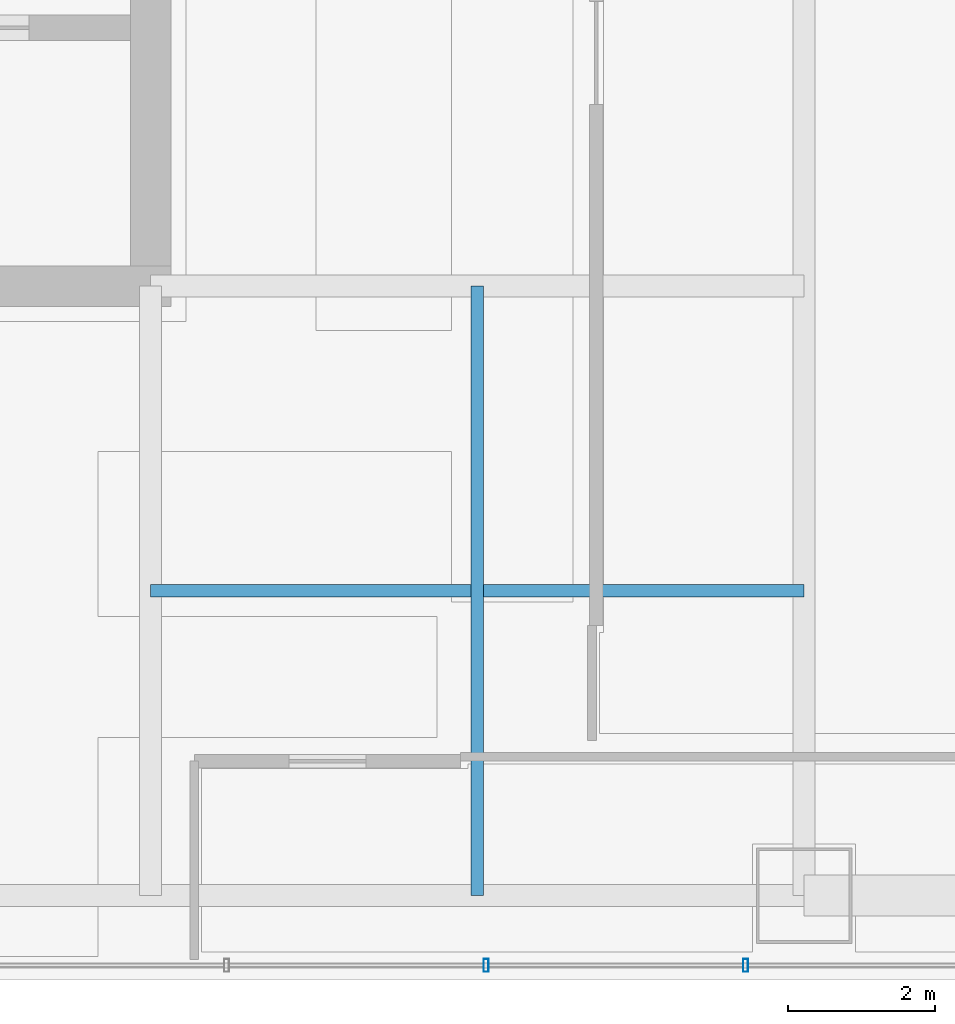
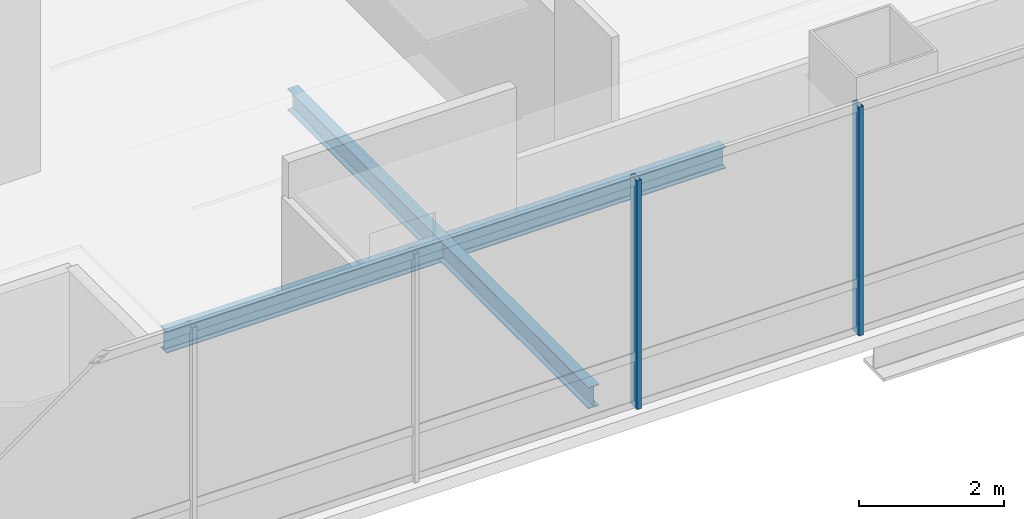
# One storey, part 14 of 40: 2 beams, 2 members, 1 element without a shape of its own.
"""IFC4 building model written with IfcOpenShell, lengths in metres."""

from ifc_helpers import new_model, si_unit, direction, frame, origin, origin_2d, place, context, subcontext, project, spatial, hollow_rectangle, i_section, extrude, material, material_profile, profile_set, type_object, element, aggregate, save


model = new_model("IFC4")

# Units and contexts
model_context = context("Model", 3, precision=1e-05, world=origin(), true_north=direction((0.0, 1.0)))
body_context = subcontext(model_context, "Body", "Model", "MODEL_VIEW")
ifc_project = project(units=[si_unit("LENGTHUNIT", "METRE"), si_unit("AREAUNIT", "SQUARE_METRE"), si_unit("VOLUMEUNIT", "CUBIC_METRE"), si_unit("PLANEANGLEUNIT", "RADIAN"), si_unit("MASSUNIT", "GRAM", prefix="KILO")], contexts=[model_context])

# Site, building, storey
site_placement = place(None, origin())
site = spatial("IfcSite", under=ifc_project, at=site_placement, CompositionType="ELEMENT")
building_placement = place(site_placement, origin())
building = spatial("IfcBuilding", under=site, at=building_placement, Name="Punatoya Terracotta Tower", CompositionType="ELEMENT")
storey_placement = place(building_placement, frame((0.0, 0.0, 271.64990234375)))
storey = spatial("IfcBuildingStorey", under=building, at=storey_placement, Name="L64", CompositionType="ELEMENT", Elevation=271.64990234375)

# Beams
ifc_material_1 = material(Name="Steel S355", Category="steel")
ifc_material_profile_1 = material_profile(ifc_material_1, i_section(OverallWidth=0.169921875, OverallDepth=0.360107421875, WebThickness=0.008056640625, FlangeThickness=0.0126953125, FilletRadius=0.01806640625, at=origin_2d()))
ifc_profile_set_1 = profile_set([ifc_material_profile_1], Name="Steel S355")
beam_type = type_object("IfcBeamType", Name="BM-SEC-360", PredefinedType="JOIST", material=ifc_profile_set_1)
beam_1_placement = place(storey_placement, frame((10.199951171875, -13.35009765625, -0.3798828125), z_axis=(1.0, 0.0, 0.0), x_axis=(0.0, 1.0, 0.0)))
element("IfcBeam", 1, at=beam_1_placement, inside=storey, type_object=beam_type, Name="BM-L64-SJS-2", PredefinedType="JOIST", context=body_context, shape_type="SweptSolid", body=[
    extrude(i_section(OverallWidth=0.169921875, OverallDepth=0.360107421875, WebThickness=0.008056640625, FlangeThickness=0.0126953125, FilletRadius=0.01806640625, at=origin_2d()), origin(), (0.0, 0.0, 1.0), 8.900146484375),
])
beam_2_placement = place(storey_placement, frame((14.64990234375, -17.5, -0.3798828125), z_axis=(0.0, 1.0, 0.0), x_axis=(-1.0, 0.0, 0.0)))
element("IfcBeam", 2, at=beam_2_placement, inside=storey, type_object=beam_type, Name="BM-L64-SJE-1", PredefinedType="JOIST", context=body_context, shape_type="SweptSolid", body=[
    extrude(i_section(OverallWidth=0.169921875, OverallDepth=0.360107421875, WebThickness=0.008056640625, FlangeThickness=0.0126953125, FilletRadius=0.01806640625, at=origin_2d()), origin(), (0.0, 0.0, 1.0), 8.300048828125),
])

# Curtain wall, members
ifc_material_2 = material(Name="Aluminium 6063-T6 + Double Low-E Glass", Category="aluminium")
curtain_wall_type = type_object("IfcCurtainWallType", Name="CW-M3", PredefinedType="NOTDEFINED", material=ifc_material_2)
curtain_wall_placement = place(storey_placement, origin())
curtain_wall = element("IfcCurtainWall", 3, at=curtain_wall_placement, inside=storey, type_object=curtain_wall_type, Name="L64 Curtain Wall CW-L64-S01-1", PredefinedType="NOTDEFINED")
ifc_material_3 = material(Name="Aluminium 6063-T6", Category="aluminium")
ifc_material_profile_2 = material_profile(ifc_material_3, hollow_rectangle(XDim=0.070068359375, YDim=0.179931640625, WallThickness=0.00390625, at=origin_2d()))
ifc_profile_set_2 = profile_set([ifc_material_profile_2], Name="Aluminium 6063-T6")
member_type = type_object("IfcMemberType", Name="CW-MUL-M3", PredefinedType="MULLION", material=ifc_profile_set_2)
member_1_placement = place(storey_placement, frame((14.768798828125, -18.449951171875, 0.0), z_axis=(0.0, 0.0, 1.0), x_axis=(1.0, 0.0, 0.0)))
member_1 = element("IfcMember", 4, at=member_1_placement, type_object=member_type, Name="CW-L64-S01-1 Mullion 09", PredefinedType="MULLION", context=body_context, shape_type="SweptSolid", body=[
    extrude(hollow_rectangle(XDim=0.070068359375, YDim=0.179931640625, WallThickness=0.00390625, at=origin_2d()), origin(), (0.0, 0.0, 1.0), 3.85009765625),
])
member_2_placement = place(storey_placement, frame((18.302978515625, -18.449951171875, 0.0), z_axis=(0.0, 0.0, 1.0), x_axis=(1.0, 0.0, 0.0)))
member_2 = element("IfcMember", 5, at=member_2_placement, type_object=member_type, Name="CW-L64-S01-1 Mullion 10", PredefinedType="MULLION", context=body_context, shape_type="SweptSolid", body=[
    extrude(hollow_rectangle(XDim=0.070068359375, YDim=0.179931640625, WallThickness=0.00390625, at=origin_2d()), origin(), (0.0, 0.0, 1.0), 3.85009765625),
])
aggregate(curtain_wall, [member_1, member_2])

save(model, "model.ifc")
